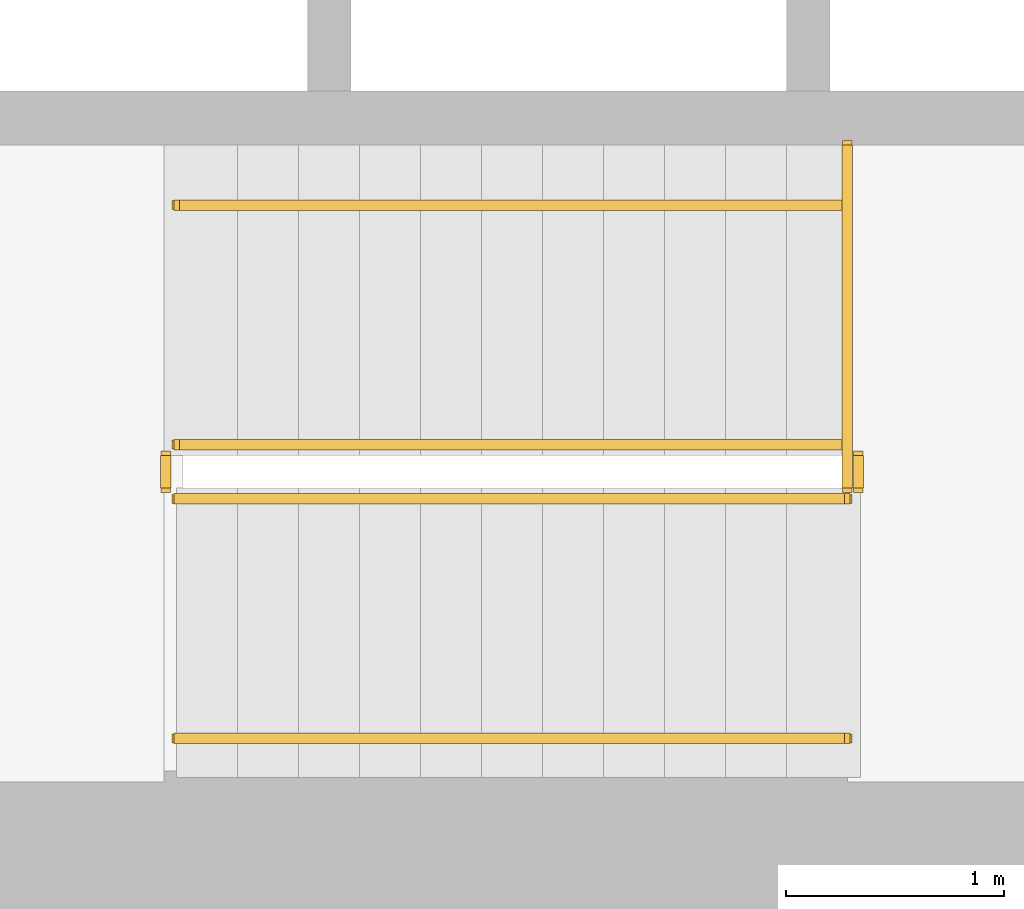
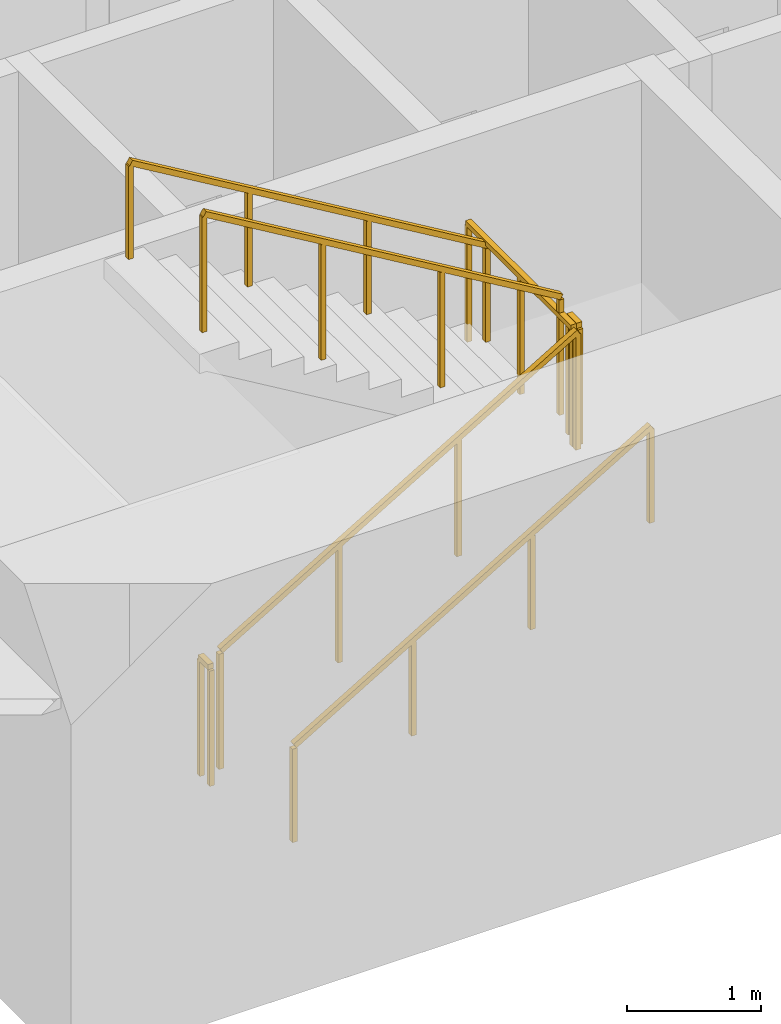
# One storey, part 12 of 15: 7 railings.
"""IFC4 building model written with IfcOpenShell, lengths in metres."""

import ifcopenshell
import ifcopenshell.guid

model = None  # the IFC model being written
_history = None  # IfcOwnerHistory: only IFC2X3 demands one
_inside = {}  # id of a spatial element -> (the spatial element, [elements in it])
_under = {}  # id of a project, library or spatial element -> (it, [spatial elements below it])
_declared = {}  # id of a project -> (the project, [libraries it declares])
_typed = {}  # id of a type object -> (the type object, [elements of that type])
_made_of = {}  # id of a material, layer set ... -> (it, [elements and type objects made of it])


def new_model(schema):
    """Start an empty IFC model of exactly this schema.

    Asked for "IFC4X3", IfcOpenShell would pick the latest addendum, in which some entities
    have other attributes; the version numbers below select the first issue.
    IFC2X3 requires an IfcOwnerHistory on every rooted entity: one is made here for all.
    """
    global model, _history
    if schema == "IFC4X3":
        model = ifcopenshell.file(schema_version=(4, 3, 0, 0))
    else:
        model = ifcopenshell.file(schema=schema)
    _inside.clear()
    _under.clear()
    _declared.clear()
    _typed.clear()
    _made_of.clear()
    _history = None
    if model.schema == "IFC2X3":
        org = make("IfcOrganization", Name="unknown")
        user = make(
            "IfcPersonAndOrganization",
            ThePerson=make("IfcPerson", FamilyName="unknown"),
            TheOrganization=org,
        )
        app = make(
            "IfcApplication",
            ApplicationDeveloper=org,
            Version="unknown",
            ApplicationFullName="unknown",
            ApplicationIdentifier="unknown",
        )
        _history = make(
            "IfcOwnerHistory",
            OwningUser=user,
            OwningApplication=app,
            ChangeAction="ADDED",
            CreationDate=0,
        )
    return model


def make(cls, **values):
    """One entity of the class cls with the attributes given. An attribute that is None is left unset."""
    return model.create_entity(
        cls, **{name: value for name, value in values.items() if value is not None}
    )


def rooted(cls, **values):
    """An entity with a GlobalId (a new one), such as an element, a storey or a relation."""
    return make(cls, GlobalId=ifcopenshell.guid.new(), OwnerHistory=_history, **values)


def si_unit(unit_type, name, prefix=None):
    """IfcSIUnit, for example si_unit("LENGTHUNIT", "METRE", prefix="MILLI")."""
    return make("IfcSIUnit", UnitType=unit_type, Prefix=prefix, Name=name)


def assignment(units):
    """IfcUnitAssignment: the units of a project."""
    return None if units is None else make("IfcUnitAssignment", Units=units)


def point(xyz):
    """IfcCartesianPoint."""
    return None if xyz is None else make("IfcCartesianPoint", Coordinates=xyz)


def direction(xyz):
    """IfcDirection."""
    return None if xyz is None else make("IfcDirection", DirectionRatios=xyz)


def frame(location, z_axis=None, x_axis=None):
    """IfcAxis2Placement3D, a coordinate frame: its origin and axes. An axis left out is left unset."""
    return make(
        "IfcAxis2Placement3D",
        Location=point(location),
        Axis=direction(z_axis),
        RefDirection=direction(x_axis),
    )


def frame_2d(location, x_axis=None):
    """IfcAxis2Placement2D, a coordinate frame in the plane: its origin and x axis."""
    return make(
        "IfcAxis2Placement2D", Location=point(location), RefDirection=direction(x_axis)
    )


def origin():
    """The frame at (0, 0, 0) with its axes left unset."""
    return frame((0.0, 0.0, 0.0))


def origin_2d():
    """The frame at (0, 0) in the plane with its x axis left unset."""
    return frame_2d((0.0, 0.0))


def place(relative_to, where):
    """IfcLocalPlacement: puts the frame where relative to a parent placement (None: the world)."""
    return make(
        "IfcLocalPlacement", PlacementRelTo=relative_to, RelativePlacement=where
    )


def context(
    kind, dimensions, precision=None, world=None, true_north=None, identifier=None
):
    """IfcGeometricRepresentationContext, for example the 3D "Model" context."""
    return make(
        "IfcGeometricRepresentationContext",
        ContextIdentifier=identifier,
        ContextType=kind,
        CoordinateSpaceDimension=dimensions,
        Precision=precision,
        WorldCoordinateSystem=world,
        TrueNorth=true_north,
    )


def subcontext(parent, identifier, kind, view, scale=None):
    """IfcGeometricRepresentationSubContext, for example "Body" below "Model"."""
    return make(
        "IfcGeometricRepresentationSubContext",
        ContextIdentifier=identifier,
        ContextType=kind,
        ParentContext=parent,
        TargetScale=scale,
        TargetView=view,
    )


def project(units=None, contexts=None):
    """IfcProject with its units and contexts."""
    return rooted(
        "IfcProject",
        Name="project",
        RepresentationContexts=contexts,
        UnitsInContext=assignment(units),
    )


def spatial(cls, under=None, at=None, **own):
    """A site, building, storey or space (cls), placed at a placement, below another one or the project."""
    s = rooted(cls, ObjectPlacement=at, **own)
    if under is not None:
        _under.setdefault(under.id(), (under, []))[1].append(s)
    return s


def profile(cls, at=None, kind="AREA", **sizes):
    """A parametric profile (cls). Its sizes go by their IFC names, for example OverallWidth=200.0."""
    return make(cls, ProfileType=kind, Position=at, **sizes)


def rectangle(**sizes):
    """IfcRectangleProfileDef."""
    return profile("IfcRectangleProfileDef", **sizes)


def extrude(swept, where, along, depth):
    """IfcExtrudedAreaSolid: the profile swept, set in the frame where, extruded along a direction by depth."""
    return make(
        "IfcExtrudedAreaSolid",
        SweptArea=swept,
        Position=where,
        ExtrudedDirection=direction(along),
        Depth=depth,
    )


def shape(context_of_items, identifier, shape_type, items):
    """IfcShapeRepresentation: the items that make up one representation, for example the "Body"."""
    return make(
        "IfcShapeRepresentation",
        ContextOfItems=context_of_items,
        RepresentationIdentifier=identifier,
        RepresentationType=shape_type,
        Items=items,
    )


def material(Name=None, Category=None):
    """IfcMaterial."""
    return make("IfcMaterial", Name=Name, Category=Category)


def made_of(thing, what):
    """Note that an element or type object is made of a material, layer set ...; save() writes the relation."""
    if what is not None:
        _made_of.setdefault(what.id(), (what, []))[1].append(thing)
    return thing


def type_object(cls, material=None, **own):
    """A type object (cls), such as IfcWallType, which elements share."""
    return made_of(rooted(cls, **own), material)


def element(
    cls,
    number,
    at=None,
    inside=None,
    cuts=None,
    type_object=None,
    material=None,
    context=None,
    identifier="Body",
    shape_type=None,
    held_by="IfcProductDefinitionShape",
    body=None,
    shapes=None,
    **own,
):
    """One element of the class cls, such as IfcWall. Its Tag is "e" and its number.

    at: its placement. inside: the storey or other place that contains it. cuts: it is an
    opening in that element (IfcRelVoidsElement). A single representation is given by context,
    identifier, shape_type and body (its items); several are given by shapes. held_by: the class
    of the entity that holds the representations. save() writes the other relations.
    """
    e = rooted(cls, Tag="e%d" % number, ObjectPlacement=at, **own)
    if body is not None:
        shapes = [shape(context, identifier, shape_type, body)]
    if shapes is not None:
        e.Representation = make(held_by, Representations=shapes)
    if inside is not None:
        _inside.setdefault(inside.id(), (inside, []))[1].append(e)
    if cuts is not None:
        rooted(
            "IfcRelVoidsElement", RelatingBuildingElement=cuts, RelatedOpeningElement=e
        )
    if type_object is not None:
        _typed.setdefault(type_object.id(), (type_object, []))[1].append(e)
    return made_of(e, material)


def aggregate(whole, parts):
    """IfcRelAggregates: a whole, such as a stair, and the parts it consists of."""
    return rooted("IfcRelAggregates", RelatingObject=whole, RelatedObjects=parts)


def save(model, path):
    """Write the relations noted so far, then the file.

    IfcRelAggregates (storeys below a building ...), IfcRelContainedInSpatialStructure (elements
    in a storey), IfcRelDefinesByType, IfcRelAssociatesMaterial and IfcRelDeclares: one each for
    every whole, place, type object, material and project.
    """
    for whole, parts in _under.values():
        aggregate(whole, parts)
    for where, things in _inside.values():
        rooted(
            "IfcRelContainedInSpatialStructure",
            RelatedElements=things,
            RelatingStructure=where,
        )
    for kind, things in _typed.values():
        rooted("IfcRelDefinesByType", RelatedObjects=things, RelatingType=kind)
    for what, things in _made_of.values():
        rooted("IfcRelAssociatesMaterial", RelatedObjects=things, RelatingMaterial=what)
    for by, libraries in _declared.values():
        rooted("IfcRelDeclares", RelatingContext=by, RelatedDefinitions=libraries)
    model.write(path)


model = new_model("IFC4")

# Units and contexts
model_context = context("Model", 3, precision=1e-05, world=origin(), true_north=direction((0.0, 1.0)))
body_context = subcontext(model_context, "Body", "Model", "MODEL_VIEW")
ifc_project = project(units=[si_unit("LENGTHUNIT", "METRE"), si_unit("AREAUNIT", "SQUARE_METRE"), si_unit("VOLUMEUNIT", "CUBIC_METRE"), si_unit("PLANEANGLEUNIT", "RADIAN"), si_unit("MASSUNIT", "GRAM", prefix="KILO")], contexts=[model_context])

# Site, building, storey
site_placement = place(None, origin())
site = spatial("IfcSite", under=ifc_project, at=site_placement, CompositionType="ELEMENT")
building_placement = place(site_placement, origin())
building = spatial("IfcBuilding", under=site, at=building_placement, Name="Sennacour Bend Tower", CompositionType="ELEMENT")
storey_placement = place(building_placement, frame((0.0, 0.0, 37.0)))
storey = spatial("IfcBuildingStorey", under=building, at=storey_placement, Name="L07", CompositionType="ELEMENT", Elevation=37.0)

# Railings
ifc_material = material(Name="Stainless steel", Category="steel")
railing_type_1 = type_object("IfcRailingType", Name="RL-GUARD-1100", PredefinedType="GUARDRAIL", material=ifc_material)
railing_1_placement = place(storey_placement, frame((56.699951171875, 2.449951171875, 0.166748046875)))
element("IfcRailing", 1, at=railing_1_placement, inside=storey, type_object=railing_type_1, Name="L07 SA1 stair guard 1", PredefinedType="GUARDRAIL", context=body_context, shape_type="SweptSolid", body=[
    extrude(rectangle(XDim=0.048095703125, YDim=0.048095703125, at=origin_2d()), frame((0.0, 0.0, 1.076171875), z_axis=(0.859308565015, 0.0, 0.511457515432), x_axis=(0.0, 1.0, 0.0)), (0.0, 0.0, 1.0), 3.58447265625),
    extrude(rectangle(XDim=0.0419921875, YDim=0.0419921875, at=origin_2d()), origin(), (0.0, 0.0, 1.0), 1.052001953125),
    extrude(rectangle(XDim=0.0419921875, YDim=0.0419921875, at=origin_2d()), frame((1.026611328125, 0.0, 0.611083984375)), (0.0, 0.0, 1.0), 1.052001953125),
    extrude(rectangle(XDim=0.0419921875, YDim=0.0419921875, at=origin_2d()), frame((2.053466796875, 0.0, 1.22216796875)), (0.0, 0.0, 1.0), 1.052001953125),
    extrude(rectangle(XDim=0.0419921875, YDim=0.0419921875, at=origin_2d()), frame((3.080078125, 0.0, 1.833251953125)), (0.0, 0.0, 1.0), 1.052001953125),
])
railing_2_placement = place(storey_placement, frame((59.830078125, 2.5, 2.0)))
element("IfcRailing", 2, at=railing_2_placement, inside=storey, type_object=railing_type_1, Name="L07 SA1 stair guard 2", PredefinedType="GUARDRAIL", context=body_context, shape_type="SweptSolid", body=[
    extrude(rectangle(XDim=0.048095703125, YDim=0.048095703125, at=origin_2d()), frame((0.0, 0.0, 1.076171875), z_axis=(0.0, 1.0, 0.0), x_axis=(-1.0, 0.0, 0.0)), (0.0, 0.0, 1.0), 0.14990234375),
    extrude(rectangle(XDim=0.0419921875, YDim=0.0419921875, at=origin_2d()), origin(), (0.0, 0.0, 1.0), 1.052001953125),
    extrude(rectangle(XDim=0.0419921875, YDim=0.0419921875, at=origin_2d()), frame((0.0, 0.14990234375, 0.0)), (0.0, 0.0, 1.0), 1.052001953125),
])
railing_3_placement = place(storey_placement, frame((59.780029296875, 2.699951171875, 2.166748046875)))
element("IfcRailing", 3, at=railing_3_placement, inside=storey, type_object=railing_type_1, Name="L07 SA1 stair guard 4", PredefinedType="GUARDRAIL", context=body_context, shape_type="SweptSolid", body=[
    extrude(rectangle(XDim=0.048095703125, YDim=0.048095703125, at=origin_2d()), frame((0.0, 0.0, 1.076171875), z_axis=(-0.859308565015, 0.0, 0.511457515432), x_axis=(0.0, -1.0, 0.0)), (0.0, 0.0, 1.0), 3.58447265625),
    extrude(rectangle(XDim=0.0419921875, YDim=0.0419921875, at=origin_2d()), origin(), (0.0, 0.0, 1.0), 1.052001953125),
    extrude(rectangle(XDim=0.0419921875, YDim=0.0419921875, at=origin_2d()), frame((-1.026611328125, 0.0, 0.611083984375)), (0.0, 0.0, 1.0), 1.052001953125),
    extrude(rectangle(XDim=0.0419921875, YDim=0.0419921875, at=origin_2d()), frame((-2.053466796875, 0.0, 1.22216796875)), (0.0, 0.0, 1.0), 1.052001953125),
    extrude(rectangle(XDim=0.0419921875, YDim=0.0419921875, at=origin_2d()), frame((-3.080078125, 0.0, 1.833251953125)), (0.0, 0.0, 1.0), 1.052001953125),
])
railing_4_placement = place(storey_placement, frame((56.64990234375, 2.5, 0.0)))
element("IfcRailing", 4, at=railing_4_placement, inside=storey, type_object=railing_type_1, Name="L07 SA1 stair guard 5", PredefinedType="GUARDRAIL", context=body_context, shape_type="SweptSolid", body=[
    extrude(rectangle(XDim=0.048095703125, YDim=0.048095703125, at=origin_2d()), frame((0.0, 0.0, 1.076171875), z_axis=(0.0, 1.0, 0.0), x_axis=(-1.0, 0.0, 0.0)), (0.0, 0.0, 1.0), 0.14990234375),
    extrude(rectangle(XDim=0.0419921875, YDim=0.0419921875, at=origin_2d()), origin(), (0.0, 0.0, 1.0), 1.052001953125),
    extrude(rectangle(XDim=0.0419921875, YDim=0.0419921875, at=origin_2d()), frame((0.0, 0.14990234375, 0.0)), (0.0, 0.0, 1.0), 1.052001953125),
])
railing_5_placement = place(storey_placement, frame((59.780029296875, 2.5, 2.0)))
element("IfcRailing", 5, at=railing_5_placement, inside=storey, type_object=railing_type_1, Name="L07 SA1 landing edge guard 22", PredefinedType="GUARDRAIL", context=body_context, shape_type="SweptSolid", body=[
    extrude(rectangle(XDim=0.048095703125, YDim=0.048095703125, at=origin_2d()), frame((0.0, 0.0, 1.076171875), z_axis=(0.0, 1.0, 0.0), x_axis=(-1.0, 0.0, 0.0)), (0.0, 0.0, 1.0), 1.574951171875),
    extrude(rectangle(XDim=0.0419921875, YDim=0.0419921875, at=origin_2d()), origin(), (0.0, 0.0, 1.0), 1.052001953125),
    extrude(rectangle(XDim=0.0419921875, YDim=0.0419921875, at=origin_2d()), frame((0.0, 0.78759765625, 0.0)), (0.0, 0.0, 1.0), 1.052001953125),
    extrude(rectangle(XDim=0.0419921875, YDim=0.0419921875, at=origin_2d()), frame((0.0, 1.574951171875, 0.0)), (0.0, 0.0, 1.0), 1.052001953125),
])
railing_type_2 = type_object("IfcRailingType", Name="RL-HANDRAIL-900", PredefinedType="HANDRAIL", material=ifc_material)
railing_6_placement = place(storey_placement, frame((56.699951171875, 1.35009765625, 0.166748046875)))
element("IfcRailing", 6, at=railing_6_placement, inside=storey, type_object=railing_type_2, Name="L07 SA1 stair handrail 1", PredefinedType="HANDRAIL", context=body_context, shape_type="SweptSolid", body=[
    extrude(rectangle(XDim=0.048095703125, YDim=0.048095703125, at=origin_2d()), frame((0.0, 0.0, 0.8759765625), z_axis=(0.859308565015, 0.0, 0.511457515432), x_axis=(0.0, 1.0, 0.0)), (0.0, 0.0, 1.0), 3.58447265625),
    extrude(rectangle(XDim=0.0419921875, YDim=0.0419921875, at=origin_2d()), origin(), (0.0, 0.0, 1.0), 0.851806640625),
    extrude(rectangle(XDim=0.0419921875, YDim=0.0419921875, at=origin_2d()), frame((1.026611328125, 0.0, 0.611083984375)), (0.0, 0.0, 1.0), 0.851806640625),
    extrude(rectangle(XDim=0.0419921875, YDim=0.0419921875, at=origin_2d()), frame((2.053466796875, 0.0, 1.22216796875)), (0.0, 0.0, 1.0), 0.851806640625),
    extrude(rectangle(XDim=0.0419921875, YDim=0.0419921875, at=origin_2d()), frame((3.080078125, 0.0, 1.833251953125)), (0.0, 0.0, 1.0), 0.851806640625),
])
railing_7_placement = place(storey_placement, frame((59.780029296875, 3.800048828125, 2.166748046875)))
element("IfcRailing", 7, at=railing_7_placement, inside=storey, type_object=railing_type_2, Name="L07 SA1 stair handrail 2", PredefinedType="HANDRAIL", context=body_context, shape_type="SweptSolid", body=[
    extrude(rectangle(XDim=0.048095703125, YDim=0.048095703125, at=origin_2d()), frame((0.0, 0.0, 0.8759765625), z_axis=(-0.859308565015, 0.0, 0.511457515432), x_axis=(0.0, -1.0, 0.0)), (0.0, 0.0, 1.0), 3.58447265625),
    extrude(rectangle(XDim=0.0419921875, YDim=0.0419921875, at=origin_2d()), origin(), (0.0, 0.0, 1.0), 0.851806640625),
    extrude(rectangle(XDim=0.0419921875, YDim=0.0419921875, at=origin_2d()), frame((-1.026611328125, 0.0, 0.611083984375)), (0.0, 0.0, 1.0), 0.851806640625),
    extrude(rectangle(XDim=0.0419921875, YDim=0.0419921875, at=origin_2d()), frame((-2.053466796875, 0.0, 1.22216796875)), (0.0, 0.0, 1.0), 0.851806640625),
    extrude(rectangle(XDim=0.0419921875, YDim=0.0419921875, at=origin_2d()), frame((-3.080078125, 0.0, 1.833251953125)), (0.0, 0.0, 1.0), 0.851806640625),
])

save(model, "model.ifc")
